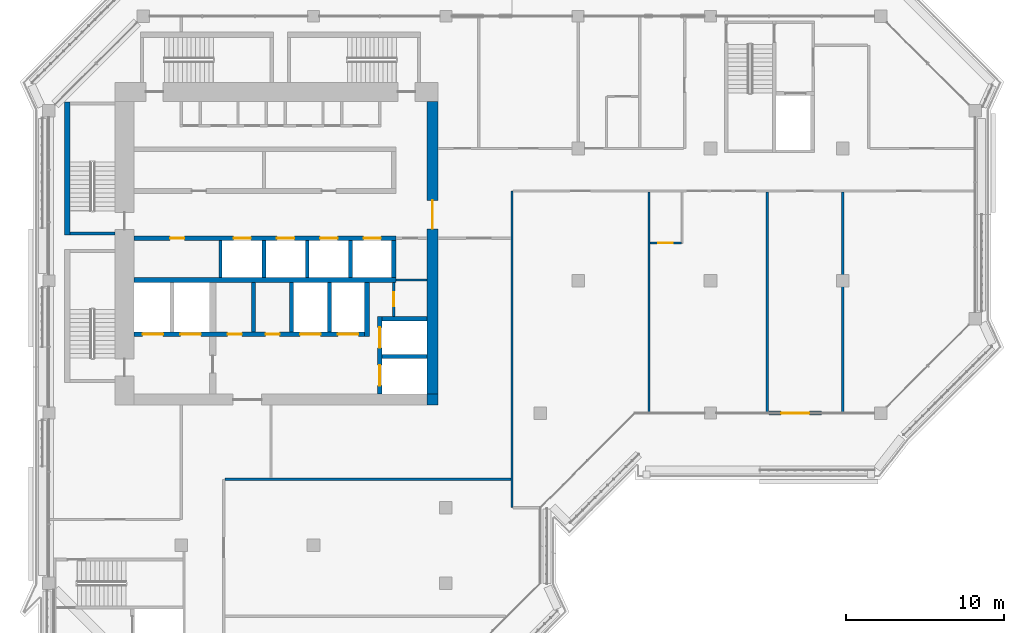
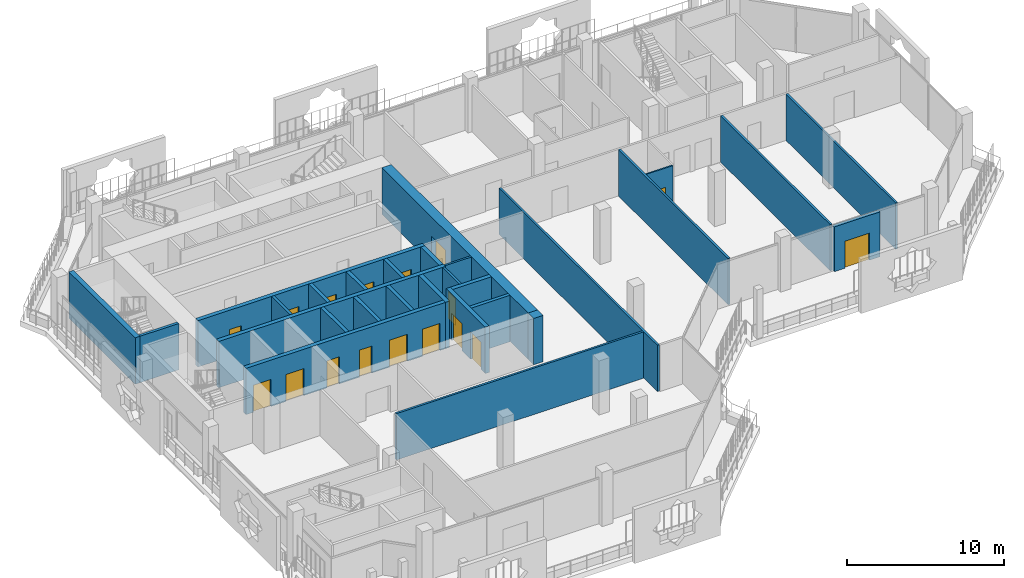
# One storey, part 11 of 21: 28 walls, 17 doors, 17 openings.
"""IFC4 building model written with IfcOpenShell, lengths in metres."""

from ifc_helpers import new_model, si_unit, direction, frame, frame_2d, origin, place, context, subcontext, project, spatial, rectangle, extrude, material, layer, layer_set, type_object, element, fill, save


model = new_model("IFC4")

# Units and contexts
model_context = context("Model", 3, precision=1e-05, world=origin(), true_north=direction((0.0, 1.0)))
body_context = subcontext(model_context, "Body", "Model", "MODEL_VIEW")
ifc_project = project(units=[si_unit("LENGTHUNIT", "METRE"), si_unit("AREAUNIT", "SQUARE_METRE"), si_unit("VOLUMEUNIT", "CUBIC_METRE"), si_unit("PLANEANGLEUNIT", "RADIAN"), si_unit("MASSUNIT", "GRAM", prefix="KILO")], contexts=[model_context])

# Site, building, storey
site_placement = place(None, origin())
site = spatial("IfcSite", under=ifc_project, at=site_placement, CompositionType="ELEMENT")
building_placement = place(site_placement, origin())
building = spatial("IfcBuilding", under=site, at=building_placement, Name="Kawkab Arch Medical Tower", CompositionType="ELEMENT")
storey_placement = place(building_placement, frame((0.0, 0.0, 302.800048828125)))
storey = spatial("IfcBuildingStorey", under=building, at=storey_placement, Name="L70", CompositionType="ELEMENT", Elevation=302.800048828125)

# Wall, opening, door
ifc_material_1 = material(Name="Concrete C50/60", Category="concrete")
ifc_layer_1 = layer(ifc_material_1, 0.699951171875)
ifc_layer_set_1 = layer_set([ifc_layer_1], Name="Concrete C50/60")
wall_type_1 = type_object("IfcWallType", Name="Core ring wall 700 C50/60", PredefinedType="SHEAR", material=ifc_layer_set_1)
wall_1_placement = place(storey_placement, frame((24.35009765625, -24.0, 0.0), z_axis=(0.0, 0.0, 1.0), x_axis=(0.0, 1.0, 0.0)))
wall_1 = element("IfcWall", 1, at=wall_1_placement, inside=storey, type_object=wall_type_1, Name="L70 core wall", PredefinedType="SHEAR", context=body_context, shape_type="SweptSolid", body=[
    extrude(rectangle(XDim=18.60009765625, YDim=0.699951171875, at=frame_2d((9.300048828125, 0.0))), origin(), (0.0, 0.0, 1.0), 3.599853515625),
])
opening_1_placement = place(wall_1_placement, frame((10.5, 0.0, 0.0)))
opening_1 = element("IfcOpeningElement", 2, at=opening_1_placement, cuts=wall_1, Name="Opening PD", PredefinedType="OPENING", context=body_context, shape_type="SweptSolid", body=[
    extrude(rectangle(XDim=1.800048828125, YDim=2.10009765625, at=frame_2d((0.89990234375, 1.050048828125))), frame((0.0, 0.35986328125, 0.0), z_axis=(0.0, -1.0, 0.0), x_axis=(1.0, 0.0, 0.0)), (0.0, 0.0, 1.0), 0.719970703125),
])
ifc_material_2 = material(Name="Hollow metal fire door leaf")
door_type_1 = type_object("IfcDoorType", Name="Core entrance doors 1800", OperationType="DOUBLE_DOOR_SINGLE_SWING", PredefinedType="DOOR", material=ifc_material_2)
door_1_placement = place(opening_1_placement, origin())
door_1 = element("IfcDoor", 3, at=door_1_placement, inside=storey, type_object=door_type_1, Name="L70 East entrance doors", OperationType="DOUBLE_DOOR_SINGLE_SWING", OverallHeight=2.10009765625, OverallWidth=1.800048828125, PredefinedType="DOOR", context=body_context, shape_type="SweptSolid", body=[
    extrude(rectangle(XDim=1.800048828125, YDim=2.10009765625, at=frame_2d((0.89990234375, 1.050048828125))), frame((0.0, 0.02490234375, 0.0), z_axis=(0.0, -1.0, 0.0), x_axis=(1.0, 0.0, 0.0)), (0.0, 0.0, 1.0), 0.050048828125),
])
fill(opening_1, door_1)

# Wall
wall_2_placement = place(storey_placement, frame((24.35009765625, -24.699951171875, 0.0), z_axis=(0.0, 0.0, 1.0), x_axis=(0.0, 1.0, 0.0)))
element("IfcWall", 4, at=wall_2_placement, inside=storey, type_object=wall_type_1, Name="L70 core wall", PredefinedType="SHEAR", context=body_context, shape_type="SweptSolid", body=[
    extrude(rectangle(XDim=0.699951171875, YDim=0.699951171875, at=frame_2d((0.35009765625, 0.0))), origin(), (0.0, 0.0, 1.0), 3.599853515625),
])

# Wall, opening, door
ifc_material_3 = material(Name="Gypsum board on steel studs", Category="steel")
ifc_layer_2 = layer(ifc_material_3, 0.14990234375)
ifc_layer_set_2 = layer_set([ifc_layer_2], Name="Gypsum board on steel studs")
wall_type_2 = type_object("IfcWallType", Name="Core room partition 150", PredefinedType="PARTITIONING", material=ifc_layer_set_2)
wall_3_placement = place(storey_placement, frame((21.89990234375, -19.050048828125, 0.0), z_axis=(0.0, 0.0, 1.0), x_axis=(0.0, 1.0, 0.0)))
wall_3 = element("IfcWall", 5, at=wall_3_placement, inside=storey, type_object=wall_type_2, Name="L70 core room partition", PredefinedType="PARTITIONING", context=body_context, shape_type="SweptSolid", body=[
    extrude(rectangle(XDim=2.150146484375, YDim=0.14990234375, at=frame_2d((1.0751953125, 0.0))), origin(), (0.0, 0.0, 1.0), 3.599853515625),
])
opening_2_placement = place(wall_3_placement, frame((0.625, 0.0, 0.0)))
opening_2 = element("IfcOpeningElement", 6, at=opening_2_placement, cuts=wall_3, Name="Opening RD", PredefinedType="OPENING", context=body_context, shape_type="SweptSolid", body=[
    extrude(rectangle(XDim=0.89990234375, YDim=2.10009765625, at=frame_2d((0.449951171875, 1.050048828125))), frame((0.0, 0.0849609375, 0.0), z_axis=(0.0, -1.0, 0.0), x_axis=(1.0, 0.0, 0.0)), (0.0, 0.0, 1.0), 0.169921875),
])
ifc_material_4 = material(Name="Hollow metal fire door leaf")
door_type_2 = type_object("IfcDoorType", Name="Core room door 900", OperationType="SINGLE_SWING_LEFT", PredefinedType="DOOR", material=ifc_material_4)
door_2_placement = place(opening_2_placement, origin())
door_2 = element("IfcDoor", 7, at=door_2_placement, inside=storey, type_object=door_type_2, Name="L70 Staff WC door", OperationType="SINGLE_SWING_LEFT", OverallHeight=2.10009765625, OverallWidth=0.89990234375, PredefinedType="DOOR", context=body_context, shape_type="SweptSolid", body=[
    extrude(rectangle(XDim=0.89990234375, YDim=2.10009765625, at=frame_2d((0.449951171875, 1.050048828125))), frame((0.0, 0.02490234375, 0.0), z_axis=(0.0, -1.0, 0.0), x_axis=(1.0, 0.0, 0.0)), (0.0, 0.0, 1.0), 0.050048828125),
])
fill(opening_2, door_2)

# Walls
wall_4_placement = place(storey_placement, frame((22.050048828125, -16.75, 0.0), z_axis=(0.0, 0.0, 1.0), x_axis=(1.0, 0.0, 0.0)))
element("IfcWall", 8, at=wall_4_placement, inside=storey, type_object=wall_type_2, Name="L70 core room partition", PredefinedType="PARTITIONING", context=body_context, shape_type="SweptSolid", body=[
    extrude(rectangle(XDim=1.949951171875, YDim=0.14990234375, at=frame_2d((0.97509765625, 0.0))), origin(), (0.0, 0.0, 1.0), 3.599853515625),
])
ifc_material_5 = material(Name="Concrete C60/75", Category="concrete")
ifc_layer_3 = layer(ifc_material_5, 0.25)
ifc_layer_set_3 = layer_set([ifc_layer_3], Name="Concrete C60/75")
wall_type_3 = type_object("IfcWallType", Name="Core shear wall 250 C60/75", PredefinedType="SHEAR", material=ifc_layer_set_3)
wall_5_placement = place(storey_placement, frame((21.14990234375, -21.60009765625, 0.0), z_axis=(0.0, 0.0, 1.0), x_axis=(1.0, 0.0, 0.0)))
element("IfcWall", 9, at=wall_5_placement, inside=storey, type_object=wall_type_3, Name="L70 core shear wall", PredefinedType="SHEAR", context=body_context, shape_type="SweptSolid", body=[
    extrude(rectangle(XDim=2.85009765625, YDim=0.25, at=frame_2d((1.425048828125, 0.0))), origin(), (0.0, 0.0, 1.0), 3.599853515625),
])
for number, where, z_axis, x_axis, name in (
    (10, (13.0, -20.050048828125, 0.0), (0.0, 0.0, 1.0), (0.0, 1.0, 0.0), "L70 core shear wall"),
    (11, (15.39990234375, -20.050048828125, 0.0), (0.0, 0.0, 1.0), (0.0, 1.0, 0.0), "L70 core shear wall"),
    (12, (17.800048828125, -20.050048828125, 0.0), (0.0, 0.0, 1.0), (0.0, 1.0, 0.0), "L70 core shear wall"),
):
    element("IfcWall", number, at=place(storey_placement, frame(where, z_axis=z_axis, x_axis=x_axis)), inside=storey, type_object=wall_type_3, Name=name, PredefinedType="SHEAR", context=body_context, shape_type="SweptSolid", body=[
        extrude(rectangle(XDim=3.150146484375, YDim=0.25, at=frame_2d((1.5751953125, 0.0))), origin(), (0.0, 0.0, 1.0), 3.599853515625),
    ])
for number, where, z_axis, x_axis, name in (
    (13, (13.64990234375, -16.60009765625, 0.0), (0.0, 0.0, 1.0), (0.0, 1.0, 0.0), "L70 core shear wall"),
    (14, (16.39990234375, -16.60009765625, 0.0), (0.0, 0.0, 1.0), (0.0, 1.0, 0.0), "L70 core shear wall"),
    (15, (19.14990234375, -16.60009765625, 0.0), (0.0, 0.0, 1.0), (0.0, 1.0, 0.0), "L70 core shear wall"),
):
    element("IfcWall", number, at=place(storey_placement, frame(where, z_axis=z_axis, x_axis=x_axis)), inside=storey, type_object=wall_type_3, Name=name, PredefinedType="SHEAR", context=body_context, shape_type="SweptSolid", body=[
        extrude(rectangle(XDim=2.35009765625, YDim=0.25, at=frame_2d((1.175048828125, 0.0))), origin(), (0.0, 0.0, 1.0), 3.599853515625),
    ])

# Wall, openings, doors
ifc_material_6 = material(Name="Concrete C60/75", Category="concrete")
ifc_layer_4 = layer(ifc_material_6, 0.300048828125)
ifc_layer_set_4 = layer_set([ifc_layer_4], Name="Concrete C60/75")
wall_type_4 = type_object("IfcWallType", Name="Core shear wall 300 C60/75", PredefinedType="SHEAR", material=ifc_layer_set_4)
wall_6_placement = place(storey_placement, frame((5.39990234375, -14.10009765625, 0.0), z_axis=(0.0, 0.0, 1.0), x_axis=(1.0, 0.0, 0.0)))
wall_6 = element("IfcWall", 16, at=wall_6_placement, inside=storey, type_object=wall_type_4, Name="L70 core shear wall", PredefinedType="SHEAR", context=body_context, shape_type="SweptSolid", body=[
    extrude(rectangle(XDim=16.650146484375, YDim=0.300048828125, at=frame_2d((8.3251953125, 0.0))), origin(), (0.0, 0.0, 1.0), 3.599853515625),
])
opening_3_placement = place(wall_6_placement, frame((6.324951171875, 0.0, 0.0)))
opening_3 = element("IfcOpeningElement", 17, at=opening_3_placement, cuts=wall_6, Name="Opening LD1", PredefinedType="OPENING", context=body_context, shape_type="SweptSolid", body=[
    extrude(rectangle(XDim=1.10009765625, YDim=2.10009765625, at=frame_2d((0.550048828125, 1.050048828125))), frame((0.0, 0.159912109375, 0.0), z_axis=(0.0, -1.0, 0.0), x_axis=(1.0, 0.0, 0.0)), (0.0, 0.0, 1.0), 0.320068359375),
])
opening_4_placement = place(wall_6_placement, frame((9.074951171875, 0.0, 0.0)))
opening_4 = element("IfcOpeningElement", 18, at=opening_4_placement, cuts=wall_6, Name="Opening LD1", PredefinedType="OPENING", context=body_context, shape_type="SweptSolid", body=[
    extrude(rectangle(XDim=1.10009765625, YDim=2.10009765625, at=frame_2d((0.550048828125, 1.050048828125))), frame((0.0, 0.159912109375, 0.0), z_axis=(0.0, -1.0, 0.0), x_axis=(1.0, 0.0, 0.0)), (0.0, 0.0, 1.0), 0.320068359375),
])
opening_5_placement = place(wall_6_placement, frame((11.824951171875, 0.0, 0.0)))
opening_5 = element("IfcOpeningElement", 19, at=opening_5_placement, cuts=wall_6, Name="Opening LD1", PredefinedType="OPENING", context=body_context, shape_type="SweptSolid", body=[
    extrude(rectangle(XDim=1.10009765625, YDim=2.10009765625, at=frame_2d((0.550048828125, 1.050048828125))), frame((0.0, 0.159912109375, 0.0), z_axis=(0.0, -1.0, 0.0), x_axis=(1.0, 0.0, 0.0)), (0.0, 0.0, 1.0), 0.320068359375),
])
opening_6_placement = place(wall_6_placement, frame((14.574951171875, 0.0, 0.0)))
opening_6 = element("IfcOpeningElement", 20, at=opening_6_placement, cuts=wall_6, Name="Opening LD1", PredefinedType="OPENING", context=body_context, shape_type="SweptSolid", body=[
    extrude(rectangle(XDim=1.10009765625, YDim=2.10009765625, at=frame_2d((0.550048828125, 1.050048828125))), frame((0.0, 0.159912109375, 0.0), z_axis=(0.0, -1.0, 0.0), x_axis=(1.0, 0.0, 0.0)), (0.0, 0.0, 1.0), 0.320068359375),
])
opening_7_placement = place(wall_6_placement, frame((2.300048828125, 0.0, 0.0)))
opening_7 = element("IfcOpeningElement", 21, at=opening_7_placement, cuts=wall_6, Name="Opening RD", PredefinedType="OPENING", context=body_context, shape_type="SweptSolid", body=[
    extrude(rectangle(XDim=0.89990234375, YDim=2.10009765625, at=frame_2d((0.449951171875, 1.050048828125))), frame((0.0, 0.159912109375, 0.0), z_axis=(0.0, -1.0, 0.0), x_axis=(1.0, 0.0, 0.0)), (0.0, 0.0, 1.0), 0.320068359375),
])
door_3_placement = place(opening_7_placement, origin())
door_3 = element("IfcDoor", 22, at=door_3_placement, inside=storey, type_object=door_type_2, Name="L70 General store door", OperationType="SINGLE_SWING_LEFT", OverallHeight=2.10009765625, OverallWidth=0.89990234375, PredefinedType="DOOR", context=body_context, shape_type="SweptSolid", body=[
    extrude(rectangle(XDim=0.89990234375, YDim=2.10009765625, at=frame_2d((0.449951171875, 1.050048828125))), frame((0.0, 0.02490234375, 0.0), z_axis=(0.0, -1.0, 0.0), x_axis=(1.0, 0.0, 0.0)), (0.0, 0.0, 1.0), 0.050048828125),
])
fill(opening_7, door_3)
ifc_material_7 = material(Name="Stainless steel lift door leaf", Category="steel")
door_type_3 = type_object("IfcDoorType", Name="Lift landing door 1100", OperationType="DOUBLE_DOOR_SLIDING", PredefinedType="DOOR", material=ifc_material_7)
door_4_placement = place(opening_3_placement, origin())
door_4 = element("IfcDoor", 23, at=door_4_placement, inside=storey, type_object=door_type_3, Name="L70 Lift landing door HP1", OperationType="DOUBLE_DOOR_SLIDING", OverallHeight=2.10009765625, OverallWidth=1.10009765625, PredefinedType="DOOR", context=body_context, shape_type="SweptSolid", body=[
    extrude(rectangle(XDim=1.10009765625, YDim=2.10009765625, at=frame_2d((0.550048828125, 1.050048828125))), frame((0.0, 0.02490234375, 0.0), z_axis=(0.0, -1.0, 0.0), x_axis=(1.0, 0.0, 0.0)), (0.0, 0.0, 1.0), 0.050048828125),
])
fill(opening_3, door_4)
door_5_placement = place(opening_4_placement, origin())
door_5 = element("IfcDoor", 24, at=door_5_placement, inside=storey, type_object=door_type_3, Name="L70 Lift landing door HP2", OperationType="DOUBLE_DOOR_SLIDING", OverallHeight=2.10009765625, OverallWidth=1.10009765625, PredefinedType="DOOR", context=body_context, shape_type="SweptSolid", body=[
    extrude(rectangle(XDim=1.10009765625, YDim=2.10009765625, at=frame_2d((0.550048828125, 1.050048828125))), frame((0.0, 0.02490234375, 0.0), z_axis=(0.0, -1.0, 0.0), x_axis=(1.0, 0.0, 0.0)), (0.0, 0.0, 1.0), 0.050048828125),
])
fill(opening_4, door_5)
door_6_placement = place(opening_5_placement, origin())
door_6 = element("IfcDoor", 25, at=door_6_placement, inside=storey, type_object=door_type_3, Name="L70 Lift landing door HP3", OperationType="DOUBLE_DOOR_SLIDING", OverallHeight=2.10009765625, OverallWidth=1.10009765625, PredefinedType="DOOR", context=body_context, shape_type="SweptSolid", body=[
    extrude(rectangle(XDim=1.10009765625, YDim=2.10009765625, at=frame_2d((0.550048828125, 1.050048828125))), frame((0.0, 0.02490234375, 0.0), z_axis=(0.0, -1.0, 0.0), x_axis=(1.0, 0.0, 0.0)), (0.0, 0.0, 1.0), 0.050048828125),
])
fill(opening_5, door_6)
door_7_placement = place(opening_6_placement, origin())
door_7 = element("IfcDoor", 26, at=door_7_placement, inside=storey, type_object=door_type_3, Name="L70 Lift landing door HP4", OperationType="DOUBLE_DOOR_SLIDING", OverallHeight=2.10009765625, OverallWidth=1.10009765625, PredefinedType="DOOR", context=body_context, shape_type="SweptSolid", body=[
    extrude(rectangle(XDim=1.10009765625, YDim=2.10009765625, at=frame_2d((0.550048828125, 1.050048828125))), frame((0.0, 0.02490234375, 0.0), z_axis=(0.0, -1.0, 0.0), x_axis=(1.0, 0.0, 0.0)), (0.0, 0.0, 1.0), 0.050048828125),
])
fill(opening_6, door_7)

# Wall
wall_7_placement = place(storey_placement, frame((5.39990234375, -16.75, 0.0), z_axis=(0.0, 0.0, 1.0), x_axis=(1.0, 0.0, 0.0)))
element("IfcWall", 27, at=wall_7_placement, inside=storey, type_object=wall_type_4, Name="L70 core shear wall", PredefinedType="SHEAR", context=body_context, shape_type="SweptSolid", body=[
    extrude(rectangle(XDim=16.650146484375, YDim=0.300048828125, at=frame_2d((8.3251953125, 0.0))), origin(), (0.0, 0.0, 1.0), 3.599853515625),
])

# Wall, openings, doors
wall_8_placement = place(storey_placement, frame((5.39990234375, -20.199951171875, 0.0), z_axis=(0.0, 0.0, 1.0), x_axis=(1.0, 0.0, 0.0)))
wall_8 = element("IfcWall", 28, at=wall_8_placement, inside=storey, type_object=wall_type_4, Name="L70 core shear wall", PredefinedType="SHEAR", context=body_context, shape_type="SweptSolid", body=[
    extrude(rectangle(XDim=14.650146484375, YDim=0.300048828125, at=frame_2d((7.3251953125, 0.0))), origin(), (0.0, 0.0, 1.0), 3.599853515625),
])
opening_8_placement = place(wall_8_placement, frame((10.550048828125, 0.0, 0.0)))
opening_8 = element("IfcOpeningElement", 29, at=opening_8_placement, cuts=wall_8, Name="Opening LD2", PredefinedType="OPENING", context=body_context, shape_type="SweptSolid", body=[
    extrude(rectangle(XDim=1.300048828125, YDim=2.10009765625, at=frame_2d((0.64990234375, 1.050048828125))), frame((0.0, 0.159912109375, 0.0), z_axis=(0.0, -1.0, 0.0), x_axis=(1.0, 0.0, 0.0)), (0.0, 0.0, 1.0), 0.320068359375),
])
opening_9_placement = place(wall_8_placement, frame((12.949951171875, 0.0, 0.0)))
opening_9 = element("IfcOpeningElement", 30, at=opening_9_placement, cuts=wall_8, Name="Opening LD2", PredefinedType="OPENING", context=body_context, shape_type="SweptSolid", body=[
    extrude(rectangle(XDim=1.300048828125, YDim=2.10009765625, at=frame_2d((0.64990234375, 1.050048828125))), frame((0.0, 0.159912109375, 0.0), z_axis=(0.0, -1.0, 0.0), x_axis=(1.0, 0.0, 0.0)), (0.0, 0.0, 1.0), 0.320068359375),
])
opening_10_placement = place(wall_8_placement, frame((0.550048828125, 0.0, 0.0)))
opening_10 = element("IfcOpeningElement", 31, at=opening_10_placement, cuts=wall_8, Name="Opening LD2", PredefinedType="OPENING", context=body_context, shape_type="SweptSolid", body=[
    extrude(rectangle(XDim=1.300048828125, YDim=2.10009765625, at=frame_2d((0.64990234375, 1.050048828125))), frame((0.0, 0.159912109375, 0.0), z_axis=(0.0, -1.0, 0.0), x_axis=(1.0, 0.0, 0.0)), (0.0, 0.0, 1.0), 0.320068359375),
])
opening_11_placement = place(wall_8_placement, frame((2.949951171875, 0.0, 0.0)))
opening_11 = element("IfcOpeningElement", 32, at=opening_11_placement, cuts=wall_8, Name="Opening LD2", PredefinedType="OPENING", context=body_context, shape_type="SweptSolid", body=[
    extrude(rectangle(XDim=1.300048828125, YDim=2.10009765625, at=frame_2d((0.64990234375, 1.050048828125))), frame((0.0, 0.159912109375, 0.0), z_axis=(0.0, -1.0, 0.0), x_axis=(1.0, 0.0, 0.0)), (0.0, 0.0, 1.0), 0.320068359375),
])
opening_12_placement = place(wall_8_placement, frame((5.949951171875, 0.0, 0.0)))
opening_12 = element("IfcOpeningElement", 33, at=opening_12_placement, cuts=wall_8, Name="Opening RD", PredefinedType="OPENING", context=body_context, shape_type="SweptSolid", body=[
    extrude(rectangle(XDim=0.89990234375, YDim=2.10009765625, at=frame_2d((0.449951171875, 1.050048828125))), frame((0.0, 0.159912109375, 0.0), z_axis=(0.0, -1.0, 0.0), x_axis=(1.0, 0.0, 0.0)), (0.0, 0.0, 1.0), 0.320068359375),
])
opening_13_placement = place(wall_8_placement, frame((8.35009765625, 0.0, 0.0)))
opening_13 = element("IfcOpeningElement", 34, at=opening_13_placement, cuts=wall_8, Name="Opening RD", PredefinedType="OPENING", context=body_context, shape_type="SweptSolid", body=[
    extrude(rectangle(XDim=0.89990234375, YDim=2.10009765625, at=frame_2d((0.449951171875, 1.050048828125))), frame((0.0, 0.159912109375, 0.0), z_axis=(0.0, -1.0, 0.0), x_axis=(1.0, 0.0, 0.0)), (0.0, 0.0, 1.0), 0.320068359375),
])
door_8_placement = place(opening_12_placement, origin())
door_8 = element("IfcDoor", 35, at=door_8_placement, inside=storey, type_object=door_type_2, Name="L70 Clean utility room door", OperationType="SINGLE_SWING_LEFT", OverallHeight=2.10009765625, OverallWidth=0.89990234375, PredefinedType="DOOR", context=body_context, shape_type="SweptSolid", body=[
    extrude(rectangle(XDim=0.89990234375, YDim=2.10009765625, at=frame_2d((0.449951171875, 1.050048828125))), frame((0.0, 0.02490234375, 0.0), z_axis=(0.0, -1.0, 0.0), x_axis=(1.0, 0.0, 0.0)), (0.0, 0.0, 1.0), 0.050048828125),
])
fill(opening_12, door_8)
door_9_placement = place(opening_13_placement, origin())
door_9 = element("IfcDoor", 36, at=door_9_placement, inside=storey, type_object=door_type_2, Name="L70 Dirty utility room door", OperationType="SINGLE_SWING_LEFT", OverallHeight=2.10009765625, OverallWidth=0.89990234375, PredefinedType="DOOR", context=body_context, shape_type="SweptSolid", body=[
    extrude(rectangle(XDim=0.89990234375, YDim=2.10009765625, at=frame_2d((0.449951171875, 1.050048828125))), frame((0.0, 0.02490234375, 0.0), z_axis=(0.0, -1.0, 0.0), x_axis=(1.0, 0.0, 0.0)), (0.0, 0.0, 1.0), 0.050048828125),
])
fill(opening_13, door_9)
ifc_material_8 = material(Name="Stainless steel lift door leaf", Category="steel")
door_type_4 = type_object("IfcDoorType", Name="Lift landing door 1300", OperationType="DOUBLE_DOOR_SLIDING", PredefinedType="DOOR", material=ifc_material_8)
door_10_placement = place(opening_8_placement, origin())
door_10 = element("IfcDoor", 37, at=door_10_placement, inside=storey, type_object=door_type_4, Name="L70 Lift landing door BD3", OperationType="DOUBLE_DOOR_SLIDING", OverallHeight=2.10009765625, OverallWidth=1.300048828125, PredefinedType="DOOR", context=body_context, shape_type="SweptSolid", body=[
    extrude(rectangle(XDim=1.300048828125, YDim=2.10009765625, at=frame_2d((0.64990234375, 1.050048828125))), frame((0.0, 0.02490234375, 0.0), z_axis=(0.0, -1.0, 0.0), x_axis=(1.0, 0.0, 0.0)), (0.0, 0.0, 1.0), 0.050048828125),
])
fill(opening_8, door_10)
door_11_placement = place(opening_9_placement, origin())
door_11 = element("IfcDoor", 38, at=door_11_placement, inside=storey, type_object=door_type_4, Name="L70 Lift landing door BD4", OperationType="DOUBLE_DOOR_SLIDING", OverallHeight=2.10009765625, OverallWidth=1.300048828125, PredefinedType="DOOR", context=body_context, shape_type="SweptSolid", body=[
    extrude(rectangle(XDim=1.300048828125, YDim=2.10009765625, at=frame_2d((0.64990234375, 1.050048828125))), frame((0.0, 0.02490234375, 0.0), z_axis=(0.0, -1.0, 0.0), x_axis=(1.0, 0.0, 0.0)), (0.0, 0.0, 1.0), 0.050048828125),
])
fill(opening_9, door_11)
door_12_placement = place(opening_10_placement, origin())
door_12 = element("IfcDoor", 39, at=door_12_placement, inside=storey, type_object=door_type_4, Name="L70 Lift landing door FL1", OperationType="DOUBLE_DOOR_SLIDING", OverallHeight=2.10009765625, OverallWidth=1.300048828125, PredefinedType="DOOR", context=body_context, shape_type="SweptSolid", body=[
    extrude(rectangle(XDim=1.300048828125, YDim=2.10009765625, at=frame_2d((0.64990234375, 1.050048828125))), frame((0.0, 0.02490234375, 0.0), z_axis=(0.0, -1.0, 0.0), x_axis=(1.0, 0.0, 0.0)), (0.0, 0.0, 1.0), 0.050048828125),
])
fill(opening_10, door_12)
door_13_placement = place(opening_11_placement, origin())
door_13 = element("IfcDoor", 40, at=door_13_placement, inside=storey, type_object=door_type_4, Name="L70 Lift landing door FL2", OperationType="DOUBLE_DOOR_SLIDING", OverallHeight=2.10009765625, OverallWidth=1.300048828125, PredefinedType="DOOR", context=body_context, shape_type="SweptSolid", body=[
    extrude(rectangle(XDim=1.300048828125, YDim=2.10009765625, at=frame_2d((0.64990234375, 1.050048828125))), frame((0.0, 0.02490234375, 0.0), z_axis=(0.0, -1.0, 0.0), x_axis=(1.0, 0.0, 0.0)), (0.0, 0.0, 1.0), 0.050048828125),
])
fill(opening_11, door_13)

# Walls
wall_9_placement = place(storey_placement, frame((20.199951171875, -20.35009765625, 0.0), z_axis=(0.0, 0.0, 1.0), x_axis=(0.0, 1.0, 0.0)))
element("IfcWall", 41, at=wall_9_placement, inside=storey, type_object=wall_type_4, Name="L70 core shear wall", PredefinedType="SHEAR", context=body_context, shape_type="SweptSolid", body=[
    extrude(rectangle(XDim=3.4501953125, YDim=0.300048828125, at=frame_2d((1.72509765625, 0.0))), origin(), (0.0, 0.0, 1.0), 3.599853515625),
])
wall_10_placement = place(storey_placement, frame((21.89990234375, -16.60009765625, 0.0), z_axis=(0.0, 0.0, 1.0), x_axis=(0.0, 1.0, 0.0)))
element("IfcWall", 42, at=wall_10_placement, inside=storey, type_object=wall_type_4, Name="L70 core shear wall", PredefinedType="SHEAR", context=body_context, shape_type="SweptSolid", body=[
    extrude(rectangle(XDim=2.35009765625, YDim=0.300048828125, at=frame_2d((1.175048828125, 0.0))), origin(), (0.0, 0.0, 1.0), 3.599853515625),
])
wall_11_placement = place(storey_placement, frame((21.14990234375, -19.199951171875, 0.0), z_axis=(0.0, 0.0, 1.0), x_axis=(1.0, 0.0, 0.0)))
element("IfcWall", 43, at=wall_11_placement, inside=storey, type_object=wall_type_4, Name="L70 core shear wall", PredefinedType="SHEAR", context=body_context, shape_type="SweptSolid", body=[
    extrude(rectangle(XDim=2.85009765625, YDim=0.300048828125, at=frame_2d((1.425048828125, 0.0))), origin(), (0.0, 0.0, 1.0), 3.599853515625),
])

# Wall, openings, doors
wall_12_placement = place(storey_placement, frame((21.0, -24.0, 0.0), z_axis=(0.0, 0.0, 1.0), x_axis=(0.0, 1.0, 0.0)))
wall_12 = element("IfcWall", 44, at=wall_12_placement, inside=storey, type_object=wall_type_4, Name="L70 core shear wall", PredefinedType="SHEAR", context=body_context, shape_type="SweptSolid", body=[
    extrude(rectangle(XDim=4.949951171875, YDim=0.300048828125, at=frame_2d((2.47509765625, 0.0))), origin(), (0.0, 0.0, 1.0), 3.599853515625),
])
opening_14_placement = place(wall_12_placement, frame((2.949951171875, 0.0, 0.0)))
opening_14 = element("IfcOpeningElement", 45, at=opening_14_placement, cuts=wall_12, Name="Opening LD2", PredefinedType="OPENING", context=body_context, shape_type="SweptSolid", body=[
    extrude(rectangle(XDim=1.300048828125, YDim=2.10009765625, at=frame_2d((0.64990234375, 1.050048828125))), frame((0.0, 0.159912109375, 0.0), z_axis=(0.0, -1.0, 0.0), x_axis=(1.0, 0.0, 0.0)), (0.0, 0.0, 1.0), 0.320068359375),
])
opening_15_placement = place(wall_12_placement, frame((0.550048828125, 0.0, 0.0)))
opening_15 = element("IfcOpeningElement", 46, at=opening_15_placement, cuts=wall_12, Name="Opening LD2", PredefinedType="OPENING", context=body_context, shape_type="SweptSolid", body=[
    extrude(rectangle(XDim=1.300048828125, YDim=2.10009765625, at=frame_2d((0.64990234375, 1.050048828125))), frame((0.0, 0.159912109375, 0.0), z_axis=(0.0, -1.0, 0.0), x_axis=(1.0, 0.0, 0.0)), (0.0, 0.0, 1.0), 0.320068359375),
])
door_14_placement = place(opening_14_placement, origin())
door_14 = element("IfcDoor", 47, at=door_14_placement, inside=storey, type_object=door_type_4, Name="L70 Lift landing door BD1", OperationType="DOUBLE_DOOR_SLIDING", OverallHeight=2.10009765625, OverallWidth=1.300048828125, PredefinedType="DOOR", context=body_context, shape_type="SweptSolid", body=[
    extrude(rectangle(XDim=1.300048828125, YDim=2.10009765625, at=frame_2d((0.64990234375, 1.050048828125))), frame((0.0, 0.02490234375, 0.0), z_axis=(0.0, -1.0, 0.0), x_axis=(1.0, 0.0, 0.0)), (0.0, 0.0, 1.0), 0.050048828125),
])
fill(opening_14, door_14)
door_15_placement = place(opening_15_placement, origin())
door_15 = element("IfcDoor", 48, at=door_15_placement, inside=storey, type_object=door_type_4, Name="L70 Lift landing door BD2", OperationType="DOUBLE_DOOR_SLIDING", OverallHeight=2.10009765625, OverallWidth=1.300048828125, PredefinedType="DOOR", context=body_context, shape_type="SweptSolid", body=[
    extrude(rectangle(XDim=1.300048828125, YDim=2.10009765625, at=frame_2d((0.64990234375, 1.050048828125))), frame((0.0, 0.02490234375, 0.0), z_axis=(0.0, -1.0, 0.0), x_axis=(1.0, 0.0, 0.0)), (0.0, 0.0, 1.0), 0.050048828125),
])
fill(opening_15, door_15)

# Wall, opening, door
ifc_material_9 = material(Name="Bronze clad insulated wall panel")
ifc_layer_5 = layer(ifc_material_9, 0.25)
ifc_layer_set_5 = layer_set([ifc_layer_5], Name="Bronze clad insulated wall panel")
wall_type_5 = type_object("IfcWallType", Name="External wall bay 250", PredefinedType="SOLIDWALL", material=ifc_layer_set_5)
wall_13_placement = place(storey_placement, frame((45.716552734375, -25.199951171875, 0.0), z_axis=(0.0, 0.0, 1.0), x_axis=(1.0, 0.0, 0.0)))
wall_13 = element("IfcWall", 49, at=wall_13_placement, inside=storey, type_object=wall_type_5, Name="External wall bay L70.R11.2.2", PredefinedType="SOLIDWALL", context=body_context, shape_type="SweptSolid", body=[
    extrude(rectangle(XDim=3.341796875, YDim=0.25, at=frame_2d((1.6708984375, 0.0))), origin(), (0.0, 0.0, 1.0), 3.47998046875),
])
opening_16_placement = place(wall_13_placement, frame((0.770751953125, 0.0, 0.0)))
opening_16 = element("IfcOpeningElement", 50, at=opening_16_placement, cuts=wall_13, Name="Opening W70-701", PredefinedType="OPENING", context=body_context, shape_type="SweptSolid", body=[
    extrude(rectangle(XDim=1.800048828125, YDim=2.10009765625, at=frame_2d((0.89990234375, 1.050048828125))), frame((0.0, 0.135009765625, 0.0), z_axis=(0.0, -1.0, 0.0), x_axis=(1.0, 0.0, 0.0)), (0.0, 0.0, 1.0), 0.27001953125),
])
ifc_material_10 = material(Name="Bronze anodised aluminium door with tinted glass", Category="aluminium")
door_type_5 = type_object("IfcDoorType", Name="Double external door 1800 x 2100", OperationType="DOUBLE_DOOR_SINGLE_SWING", PredefinedType="DOOR", material=ifc_material_10)
door_16_placement = place(opening_16_placement, origin())
door_16 = element("IfcDoor", 51, at=door_16_placement, inside=storey, type_object=door_type_5, Name="External door L70.R11.2.2", OperationType="DOUBLE_DOOR_SINGLE_SWING", OverallHeight=2.10009765625, OverallWidth=1.800048828125, PredefinedType="DOOR", context=body_context, shape_type="SweptSolid", body=[
    extrude(rectangle(XDim=1.800048828125, YDim=2.10009765625, at=frame_2d((0.89990234375, 1.050048828125))), frame((0.0, 0.02490234375, 0.0), z_axis=(0.0, -1.0, 0.0), x_axis=(1.0, 0.0, 0.0)), (0.0, 0.0, 1.0), 0.050048828125),
])
fill(opening_16, door_16)

# Wall
ifc_material_11 = material(Name="Dense concrete blockwork", Category="masonry")
ifc_layer_6 = layer(ifc_material_11, 0.199951171875)
ifc_layer_set_6 = layer_set([ifc_layer_6], Name="Dense concrete blockwork")
wall_type_6 = type_object("IfcWallType", Name="Lift shaft partition 200", PredefinedType="PARTITIONING", material=ifc_layer_set_6)
wall_14_placement = place(storey_placement, frame((10.89990234375, -16.60009765625, 0.0), z_axis=(0.0, 0.0, 1.0), x_axis=(0.0, 1.0, 0.0)))
element("IfcWall", 52, at=wall_14_placement, inside=storey, type_object=wall_type_6, Name="L70 lift shaft partition", PredefinedType="PARTITIONING", context=body_context, shape_type="SweptSolid", body=[
    extrude(rectangle(XDim=2.35009765625, YDim=0.199951171875, at=frame_2d((1.175048828125, 0.0))), origin(), (0.0, 0.0, 1.0), 3.599853515625),
])

# Wall, opening, door
ifc_material_12 = material(Name="Gypsum board partition on steel studs", Category="steel")
ifc_layer_7 = layer(ifc_material_12, 0.10009765625)
ifc_layer_set_7 = layer_set([ifc_layer_7], Name="Gypsum board partition on steel studs")
wall_type_7 = type_object("IfcWallType", Name="Partition 100", PredefinedType="PARTITIONING", material=ifc_layer_set_7)
wall_15_placement = place(storey_placement, frame((38.175048828125, -14.39990234375, 0.0), z_axis=(0.0, 0.0, 1.0), x_axis=(1.0, 0.0, 0.0)))
wall_15 = element("IfcWall", 53, at=wall_15_placement, inside=storey, type_object=wall_type_7, Name="Partition 100 w001", PredefinedType="PARTITIONING", context=body_context, shape_type="SweptSolid", body=[
    extrude(rectangle(XDim=1.974853515625, YDim=0.10009765625, at=frame_2d((0.9873046875, 0.0))), origin(), (0.0, 0.0, 1.0), 3.599853515625),
])
opening_17_placement = place(wall_15_placement, frame((0.52490234375, 0.0, 0.0)))
opening_17 = element("IfcOpeningElement", 54, at=opening_17_placement, cuts=wall_15, Name="Opening W70-005", PredefinedType="OPENING", context=body_context, shape_type="SweptSolid", body=[
    extrude(rectangle(XDim=0.89990234375, YDim=2.10009765625, at=frame_2d((0.449951171875, 1.050048828125))), frame((0.0, 0.06005859375, 0.0), z_axis=(0.0, -1.0, 0.0), x_axis=(1.0, 0.0, 0.0)), (0.0, 0.0, 1.0), 0.1201171875),
])
ifc_material_13 = material(Name="Timber door leaf", Category="wood")
door_type_6 = type_object("IfcDoorType", Name="Single door 900x2100", OperationType="NOTDEFINED", PredefinedType="DOOR", material=ifc_material_13)
door_17_placement = place(opening_17_placement, origin())
door_17 = element("IfcDoor", 55, at=door_17_placement, inside=storey, type_object=door_type_6, Name="Door W70-005", OperationType="SINGLE_SWING_LEFT", OverallHeight=2.10009765625, OverallWidth=0.89990234375, PredefinedType="DOOR", context=body_context, shape_type="SweptSolid", body=[
    extrude(rectangle(XDim=0.89990234375, YDim=2.10009765625, at=frame_2d((0.449951171875, 1.050048828125))), frame((0.0, 0.02490234375, 0.0), z_axis=(0.0, -1.0, 0.0), x_axis=(1.0, 0.0, 0.0)), (0.0, 0.0, 1.0), 0.050048828125),
])
fill(opening_17, door_17)

# Walls
ifc_material_14 = material(Name="Gypsum board partition on steel studs, mineral wool", Category="steel")
ifc_layer_8 = layer(ifc_material_14, 0.14990234375)
ifc_layer_set_8 = layer_set([ifc_layer_8], Name="Gypsum board partition on steel studs, mineral wool")
wall_type_8 = type_object("IfcWallType", Name="Partition 150", PredefinedType="PARTITIONING", material=ifc_layer_set_8)
wall_16_placement = place(storey_placement, frame((11.175048828125, -29.39990234375, 0.0), z_axis=(0.0, 0.0, 1.0), x_axis=(1.0, 0.0, 0.0)))
element("IfcWall", 56, at=wall_16_placement, inside=storey, type_object=wall_type_8, Name="Partition 150 w008", PredefinedType="PARTITIONING", context=body_context, shape_type="SweptSolid", body=[
    extrude(rectangle(XDim=18.14990234375, YDim=0.14990234375, at=frame_2d((9.074951171875, 0.0))), origin(), (0.0, 0.0, 1.0), 3.599853515625),
])
wall_17_placement = place(storey_placement, frame((29.39990234375, -31.197998046875, 0.0), z_axis=(0.0, 0.0, 1.0), x_axis=(0.0, 1.0, 0.0)))
element("IfcWall", 57, at=wall_17_placement, inside=storey, type_object=wall_type_8, Name="Partition 150 w019", PredefinedType="PARTITIONING", context=body_context, shape_type="SweptSolid", body=[
    extrude(rectangle(XDim=20.097900390625, YDim=0.14990234375, at=frame_2d((10.048828125, 0.0))), origin(), (0.0, 0.0, 1.0), 3.599853515625),
])
for number, where, z_axis, x_axis, name in (
    (58, (38.10009765625, -25.1201171875, 0.0), (0.0, 0.0, 1.0), (0.0, 1.0, 0.0), "Partition 150 w022"),
    (59, (45.60009765625, -25.1201171875, 0.0), (0.0, 0.0, 1.0), (0.0, 1.0, 0.0), "Partition 150 w026"),
    (60, (50.39990234375, -25.1201171875, 0.0), (0.0, 0.0, 1.0), (0.0, 1.0, 0.0), "Partition 150 w027"),
):
    element("IfcWall", number, at=place(storey_placement, frame(where, z_axis=z_axis, x_axis=x_axis)), inside=storey, type_object=wall_type_8, Name=name, PredefinedType="PARTITIONING", context=body_context, shape_type="SweptSolid", body=[
        extrude(rectangle(XDim=13.945068359375, YDim=0.14990234375, at=frame_2d((6.97265625, 0.0))), origin(), (0.0, 0.0, 1.0), 3.599853515625),
    ])
ifc_material_15 = material(Name="Concrete C50/60", Category="concrete")
ifc_layer_9 = layer(ifc_material_15, 0.199951171875)
ifc_layer_set_9 = layer_set([ifc_layer_9], Name="Concrete C50/60")
wall_type_9 = type_object("IfcWallType", Name="Stair enclosure wall 200 C50/60", PredefinedType="SHEAR", material=ifc_layer_set_9)
wall_18_placement = place(storey_placement, frame((1.35009765625, -13.800048828125, 0.0), z_axis=(0.0, 0.0, 1.0), x_axis=(1.0, 0.0, 0.0)))
element("IfcWall", 61, at=wall_18_placement, inside=storey, type_object=wall_type_9, Name="L70 stair enclosure wall", PredefinedType="SHEAR", context=body_context, shape_type="SweptSolid", body=[
    extrude(rectangle(XDim=2.849853515625, YDim=0.199951171875, at=frame_2d((1.4248046875, 0.0))), origin(), (0.0, 0.0, 1.0), 3.599853515625),
])
ifc_material_16 = material(Name="Concrete C50/60", Category="concrete")
ifc_layer_10 = layer(ifc_material_16, 0.35009765625)
ifc_layer_set_10 = layer_set([ifc_layer_10], Name="Concrete C50/60")
wall_type_10 = type_object("IfcWallType", Name="Stair enclosure wall 350 C50/60", PredefinedType="SHEAR", material=ifc_layer_set_10)
wall_19_placement = place(storey_placement, frame((1.175048828125, -13.89990234375, 0.0), z_axis=(0.0, 0.0, 1.0), x_axis=(0.0, 1.0, 0.0)))
element("IfcWall", 62, at=wall_19_placement, inside=storey, type_object=wall_type_10, Name="L70 stair enclosure wall", PredefinedType="SHEAR", context=body_context, shape_type="SweptSolid", body=[
    extrude(rectangle(XDim=8.449951171875, YDim=0.35009765625, at=frame_2d((4.22509765625, 0.0))), origin(), (0.0, 0.0, 1.0), 3.599853515625),
])

save(model, "model.ifc")
